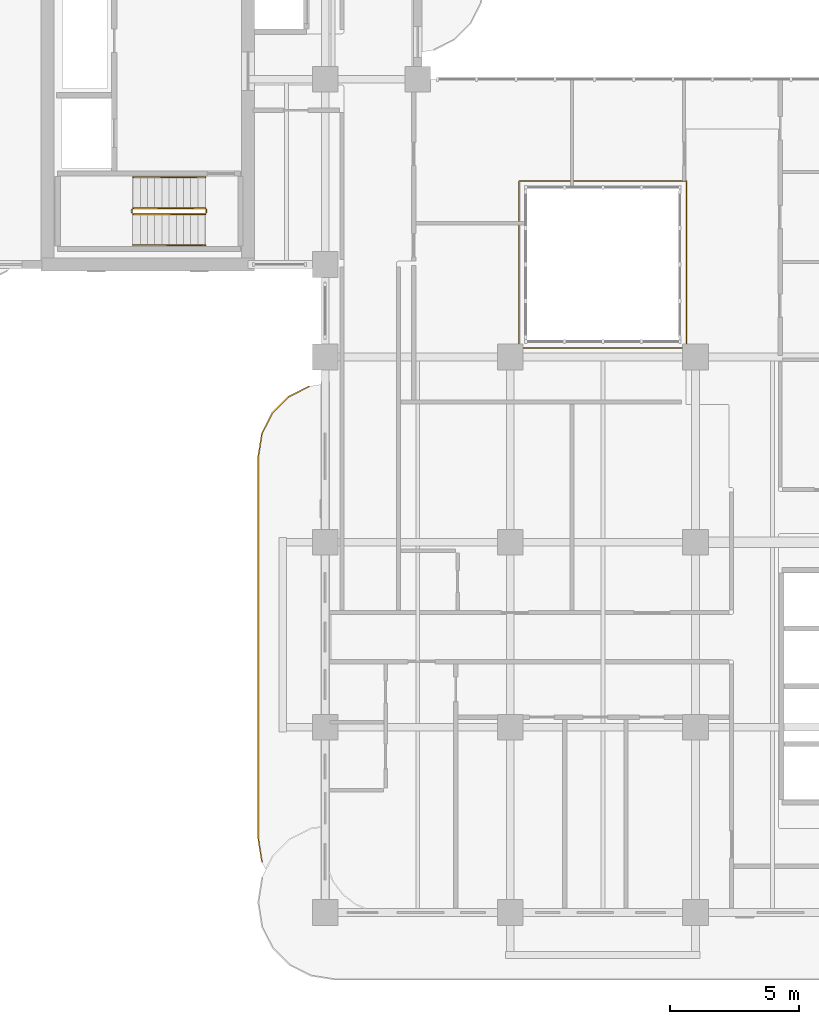
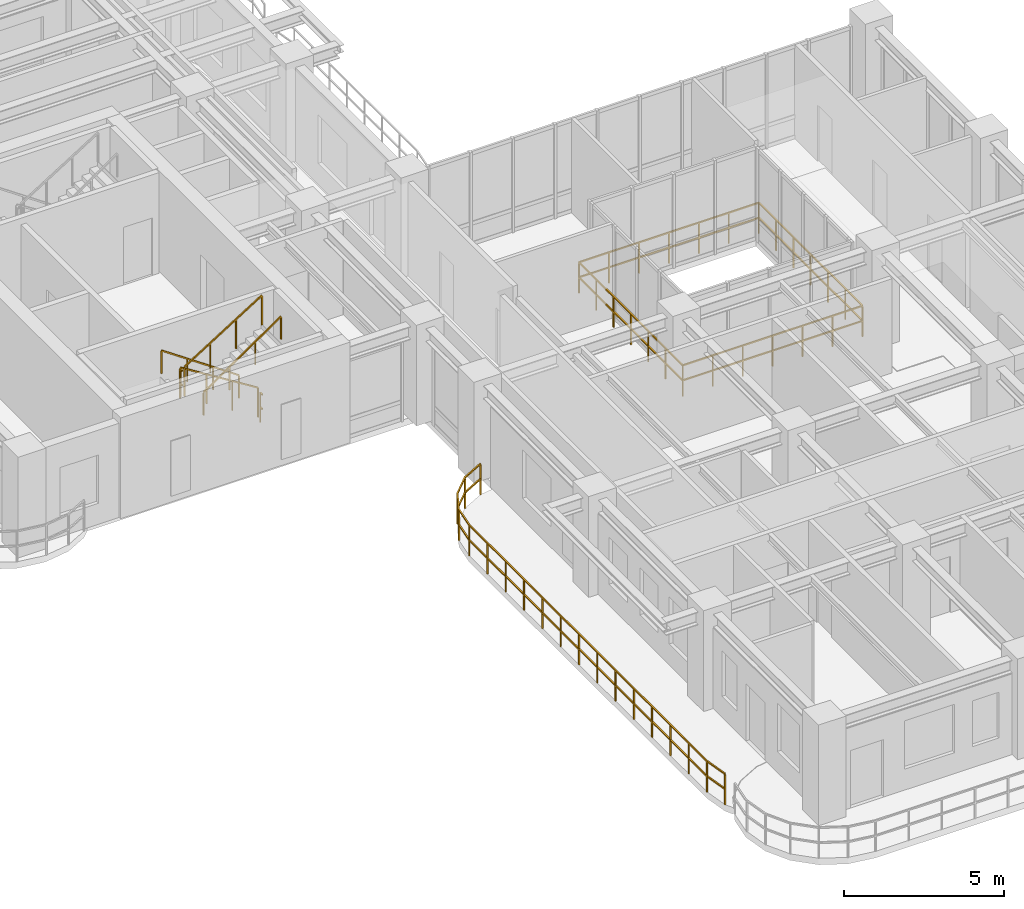
# One storey, part 17 of 20: 8 railings.
"""IFC4 building model written with IfcOpenShell, lengths in metres."""

from ifc_helpers import new_model, si_unit, derived_unit, direction, frame, origin, origin_2d, place, context, subcontext, project, spatial, rectangle, extrude, material, type_object, element, save


model = new_model("IFC4")

# Units and contexts
model_context = context("Model", 3, precision=1e-05, world=origin(), true_north=direction((0.0, 1.0)))
body_context = subcontext(model_context, "Body", "Model", "MODEL_VIEW")
ifc_project = project(units=[si_unit("LENGTHUNIT", "METRE"), si_unit("AREAUNIT", "SQUARE_METRE"), si_unit("VOLUMEUNIT", "CUBIC_METRE"), si_unit("PLANEANGLEUNIT", "RADIAN"), si_unit("MASSUNIT", "GRAM", prefix="KILO"), si_unit("THERMODYNAMICTEMPERATUREUNIT", "KELVIN"), si_unit("POWERUNIT", "WATT"), derived_unit("THERMALTRANSMITTANCEUNIT", [(si_unit("POWERUNIT", "WATT"), 1), (si_unit("AREAUNIT", "SQUARE_METRE"), -1), (si_unit("THERMODYNAMICTEMPERATUREUNIT", "KELVIN"), -1)])], contexts=[model_context])

# Site, building, storey
site_placement = place(None, origin())
site = spatial("IfcSite", under=ifc_project, at=site_placement, CompositionType="ELEMENT")
building_placement = place(site_placement, origin())
building = spatial("IfcBuilding", under=site, at=building_placement, Name="Zahravan Archway Hotel and Residences", CompositionType="ELEMENT")
storey_placement = place(building_placement, frame((0.0, 0.0, 177.25)))
storey = spatial("IfcBuildingStorey", under=building, at=storey_placement, Name="L44", CompositionType="ELEMENT", Elevation=177.25)

# Railings
ifc_material_1 = material(Name="Atrium Laminated Glass Guardrail", Category="glass")
railing_type_1 = type_object("IfcRailingType", Name="RL-ATR-1200", PredefinedType="BALUSTRADE", material=ifc_material_1)
railing_1_placement = place(storey_placement, frame((21.949951171875, 21.949951171875, 0.0)))
element("IfcRailing", 1, at=railing_1_placement, inside=storey, type_object=railing_type_1, Name="L44 Balustrade RL-ATR-L44", PredefinedType="BALUSTRADE", context=body_context, shape_type="SweptSolid", body=[
    extrude(rectangle(XDim=0.048095703125, YDim=0.048095703125, at=origin_2d()), frame((0.0, 0.0, 1.17578125), z_axis=(1.0, 0.0, 0.0), x_axis=(0.0, 1.0, 0.0)), (0.0, 0.0, 1.0), 6.5),
    extrude(rectangle(XDim=0.048095703125, YDim=0.048095703125, at=origin_2d()), frame((0.0, 0.0, 0.60009765625), z_axis=(1.0, 0.0, 0.0), x_axis=(0.0, 1.0, 0.0)), (0.0, 0.0, 1.0), 6.5),
    extrude(rectangle(XDim=0.048095703125, YDim=0.048095703125, at=origin_2d()), frame((6.5, 0.0, 1.17578125), z_axis=(0.0, 1.0, 0.0), x_axis=(-1.0, 0.0, 0.0)), (0.0, 0.0, 1.0), 6.5),
    extrude(rectangle(XDim=0.048095703125, YDim=0.048095703125, at=origin_2d()), frame((6.5, 0.0, 0.60009765625), z_axis=(0.0, 1.0, 0.0), x_axis=(-1.0, 0.0, 0.0)), (0.0, 0.0, 1.0), 6.5),
    extrude(rectangle(XDim=0.048095703125, YDim=0.048095703125, at=origin_2d()), frame((6.5, 6.5, 1.17578125), z_axis=(-1.0, 0.0, 0.0), x_axis=(0.0, -1.0, 0.0)), (0.0, 0.0, 1.0), 6.5),
    extrude(rectangle(XDim=0.048095703125, YDim=0.048095703125, at=origin_2d()), frame((6.5, 6.5, 0.60009765625), z_axis=(-1.0, 0.0, 0.0), x_axis=(0.0, -1.0, 0.0)), (0.0, 0.0, 1.0), 6.5),
    extrude(rectangle(XDim=0.048095703125, YDim=0.048095703125, at=origin_2d()), frame((0.0, 6.5, 1.17578125), z_axis=(0.0, -1.0, 0.0), x_axis=(1.0, 0.0, 0.0)), (0.0, 0.0, 1.0), 6.5),
    extrude(rectangle(XDim=0.048095703125, YDim=0.048095703125, at=origin_2d()), frame((0.0, 6.5, 0.60009765625), z_axis=(0.0, -1.0, 0.0), x_axis=(1.0, 0.0, 0.0)), (0.0, 0.0, 1.0), 6.5),
    extrude(rectangle(XDim=0.0419921875, YDim=0.0419921875, at=origin_2d()), origin(), (0.0, 0.0, 1.0), 1.15185546875),
    extrude(rectangle(XDim=0.0419921875, YDim=0.0419921875, at=origin_2d()), frame((1.083251953125, 0.0, 0.0)), (0.0, 0.0, 1.0), 1.15185546875),
    extrude(rectangle(XDim=0.0419921875, YDim=0.0419921875, at=origin_2d()), frame((2.166748046875, 0.0, 0.0)), (0.0, 0.0, 1.0), 1.15185546875),
    extrude(rectangle(XDim=0.0419921875, YDim=0.0419921875, at=origin_2d()), frame((3.25, 0.0, 0.0)), (0.0, 0.0, 1.0), 1.15185546875),
    extrude(rectangle(XDim=0.0419921875, YDim=0.0419921875, at=origin_2d()), frame((4.333251953125, 0.0, 0.0)), (0.0, 0.0, 1.0), 1.15185546875),
    extrude(rectangle(XDim=0.0419921875, YDim=0.0419921875, at=origin_2d()), frame((5.416748046875, 0.0, 0.0)), (0.0, 0.0, 1.0), 1.15185546875),
    extrude(rectangle(XDim=0.0419921875, YDim=0.0419921875, at=origin_2d()), frame((6.5, 0.0, 0.0)), (0.0, 0.0, 1.0), 1.15185546875),
    extrude(rectangle(XDim=0.0419921875, YDim=0.0419921875, at=origin_2d()), frame((6.5, 1.083251953125, 0.0)), (0.0, 0.0, 1.0), 1.15185546875),
    extrude(rectangle(XDim=0.0419921875, YDim=0.0419921875, at=origin_2d()), frame((6.5, 2.166748046875, 0.0)), (0.0, 0.0, 1.0), 1.15185546875),
    extrude(rectangle(XDim=0.0419921875, YDim=0.0419921875, at=origin_2d()), frame((6.5, 3.25, 0.0)), (0.0, 0.0, 1.0), 1.15185546875),
    extrude(rectangle(XDim=0.0419921875, YDim=0.0419921875, at=origin_2d()), frame((6.5, 4.333251953125, 0.0)), (0.0, 0.0, 1.0), 1.15185546875),
    extrude(rectangle(XDim=0.0419921875, YDim=0.0419921875, at=origin_2d()), frame((6.5, 5.416748046875, 0.0)), (0.0, 0.0, 1.0), 1.15185546875),
    extrude(rectangle(XDim=0.0419921875, YDim=0.0419921875, at=origin_2d()), frame((6.5, 6.5, 0.0)), (0.0, 0.0, 1.0), 1.15185546875),
    extrude(rectangle(XDim=0.0419921875, YDim=0.0419921875, at=origin_2d()), frame((5.416748046875, 6.5, 0.0)), (0.0, 0.0, 1.0), 1.15185546875),
    extrude(rectangle(XDim=0.0419921875, YDim=0.0419921875, at=origin_2d()), frame((4.333251953125, 6.5, 0.0)), (0.0, 0.0, 1.0), 1.15185546875),
    extrude(rectangle(XDim=0.0419921875, YDim=0.0419921875, at=origin_2d()), frame((3.25, 6.5, 0.0)), (0.0, 0.0, 1.0), 1.15185546875),
    extrude(rectangle(XDim=0.0419921875, YDim=0.0419921875, at=origin_2d()), frame((2.166748046875, 6.5, 0.0)), (0.0, 0.0, 1.0), 1.15185546875),
    extrude(rectangle(XDim=0.0419921875, YDim=0.0419921875, at=origin_2d()), frame((1.083251953125, 6.5, 0.0)), (0.0, 0.0, 1.0), 1.15185546875),
    extrude(rectangle(XDim=0.0419921875, YDim=0.0419921875, at=origin_2d()), frame((0.0, 6.5, 0.0)), (0.0, 0.0, 1.0), 1.15185546875),
    extrude(rectangle(XDim=0.0419921875, YDim=0.0419921875, at=origin_2d()), frame((0.0, 5.416748046875, 0.0)), (0.0, 0.0, 1.0), 1.15185546875),
    extrude(rectangle(XDim=0.0419921875, YDim=0.0419921875, at=origin_2d()), frame((0.0, 4.333251953125, 0.0)), (0.0, 0.0, 1.0), 1.15185546875),
    extrude(rectangle(XDim=0.0419921875, YDim=0.0419921875, at=origin_2d()), frame((0.0, 3.25, 0.0)), (0.0, 0.0, 1.0), 1.15185546875),
    extrude(rectangle(XDim=0.0419921875, YDim=0.0419921875, at=origin_2d()), frame((0.0, 2.166748046875, 0.0)), (0.0, 0.0, 1.0), 1.15185546875),
    extrude(rectangle(XDim=0.0419921875, YDim=0.0419921875, at=origin_2d()), frame((0.0, 1.083251953125, 0.0)), (0.0, 0.0, 1.0), 1.15185546875),
])
ifc_material_2 = material(Name="Bronze & Laminated Glass Balustrade", Category="glass")
railing_type_2 = type_object("IfcRailingType", Name="RL-BAL-1200", PredefinedType="BALUSTRADE", material=ifc_material_2)
railing_2_placement = place(storey_placement, frame((11.939453125, 1.96923828125, 0.0)))
element("IfcRailing", 2, at=railing_2_placement, inside=storey, type_object=railing_type_2, Name="L44 Balustrade RL-SLB-BAL-L44-WA-1", PredefinedType="BALUSTRADE", context=body_context, shape_type="SweptSolid", body=[
    extrude(rectangle(XDim=0.048095703125, YDim=0.048095703125, at=origin_2d()), frame((0.0, 0.0, 1.17578125), z_axis=(-0.156314005608, 0.987707411965, 0.0), x_axis=(-0.987707411965, -0.156314005608, 0.0)), (0.0, 0.0, 1.0), 0.891845703125),
    extrude(rectangle(XDim=0.048095703125, YDim=0.048095703125, at=origin_2d()), frame((0.0, 0.0, 0.60009765625), z_axis=(-0.156314005608, 0.987707411965, 0.0), x_axis=(-0.987707411965, -0.156314005608, 0.0)), (0.0, 0.0, 1.0), 0.891845703125),
    extrude(rectangle(XDim=0.048095703125, YDim=0.048095703125, at=origin_2d()), frame((-0.139404296875, 0.880859375, 1.17578125), z_axis=(0.0, 1.0, 0.0), x_axis=(-1.0, 0.0, 0.0)), (0.0, 0.0, 1.0), 14.89990234375),
    extrude(rectangle(XDim=0.048095703125, YDim=0.048095703125, at=origin_2d()), frame((-0.139404296875, 0.880859375, 0.60009765625), z_axis=(0.0, 1.0, 0.0), x_axis=(-1.0, 0.0, 0.0)), (0.0, 0.0, 1.0), 14.89990234375),
    extrude(rectangle(XDim=0.048095703125, YDim=0.048095703125, at=origin_2d()), frame((-0.139404296875, 15.78076171875, 1.17578125), z_axis=(0.156356282588, 0.987700720307, 0.0), x_axis=(-0.987700720307, 0.156356282588, 0.0)), (0.0, 0.0, 1.0), 0.8916015625),
    extrude(rectangle(XDim=0.048095703125, YDim=0.048095703125, at=origin_2d()), frame((-0.139404296875, 15.78076171875, 0.60009765625), z_axis=(0.156356282588, 0.987700720307, 0.0), x_axis=(-0.987700720307, 0.156356282588, 0.0)), (0.0, 0.0, 1.0), 0.8916015625),
    extrude(rectangle(XDim=0.048095703125, YDim=0.048095703125, at=origin_2d()), frame((0.0, 16.661376953125, 1.17578125), z_axis=(0.45388067135, 0.891062476022, 0.0), x_axis=(-0.891062476022, 0.45388067135, 0.0)), (0.0, 0.0, 1.0), 0.891845703125),
    extrude(rectangle(XDim=0.048095703125, YDim=0.048095703125, at=origin_2d()), frame((0.0, 16.661376953125, 0.60009765625), z_axis=(0.45388067135, 0.891062476022, 0.0), x_axis=(-0.891062476022, 0.45388067135, 0.0)), (0.0, 0.0, 1.0), 0.891845703125),
    extrude(rectangle(XDim=0.048095703125, YDim=0.048095703125, at=origin_2d()), frame((0.40478515625, 17.4560546875, 1.17578125), z_axis=(0.70724367147, 0.706969864397, 0.0), x_axis=(-0.706969864397, 0.70724367147, 0.0)), (0.0, 0.0, 1.0), 0.8916015625),
    extrude(rectangle(XDim=0.048095703125, YDim=0.048095703125, at=origin_2d()), frame((0.40478515625, 17.4560546875, 0.60009765625), z_axis=(0.70724367147, 0.706969864397, 0.0), x_axis=(-0.706969864397, 0.70724367147, 0.0)), (0.0, 0.0, 1.0), 0.8916015625),
    extrude(rectangle(XDim=0.048095703125, YDim=0.048095703125, at=origin_2d()), frame((1.035400390625, 18.08642578125, 1.17578125), z_axis=(0.891006060389, 0.453991409995, 0.0), x_axis=(-0.453991409995, 0.891006060389, 0.0)), (0.0, 0.0, 1.0), 0.8916015625),
    extrude(rectangle(XDim=0.048095703125, YDim=0.048095703125, at=origin_2d()), frame((1.035400390625, 18.08642578125, 0.60009765625), z_axis=(0.891006060389, 0.453991409995, 0.0), x_axis=(-0.453991409995, 0.891006060389, 0.0)), (0.0, 0.0, 1.0), 0.8916015625),
    extrude(rectangle(XDim=0.0419921875, YDim=0.0419921875, at=origin_2d()), origin(), (0.0, 0.0, 1.0), 1.15185546875),
    extrude(rectangle(XDim=0.0419921875, YDim=0.0419921875, at=origin_2d()), frame((-0.139404296875, 0.880859375, 0.0)), (0.0, 0.0, 1.0), 1.15185546875),
    extrude(rectangle(XDim=0.0419921875, YDim=0.0419921875, at=origin_2d()), frame((-0.139404296875, 2.027099609375, 0.0)), (0.0, 0.0, 1.0), 1.15185546875),
    extrude(rectangle(XDim=0.0419921875, YDim=0.0419921875, at=origin_2d()), frame((-0.139404296875, 3.173095703125, 0.0)), (0.0, 0.0, 1.0), 1.15185546875),
    extrude(rectangle(XDim=0.0419921875, YDim=0.0419921875, at=origin_2d()), frame((-0.139404296875, 4.3193359375, 0.0)), (0.0, 0.0, 1.0), 1.15185546875),
    extrude(rectangle(XDim=0.0419921875, YDim=0.0419921875, at=origin_2d()), frame((-0.139404296875, 5.46533203125, 0.0)), (0.0, 0.0, 1.0), 1.15185546875),
    extrude(rectangle(XDim=0.0419921875, YDim=0.0419921875, at=origin_2d()), frame((-0.139404296875, 6.611572265625, 0.0)), (0.0, 0.0, 1.0), 1.15185546875),
    extrude(rectangle(XDim=0.0419921875, YDim=0.0419921875, at=origin_2d()), frame((-0.139404296875, 7.7578125, 0.0)), (0.0, 0.0, 1.0), 1.15185546875),
    extrude(rectangle(XDim=0.0419921875, YDim=0.0419921875, at=origin_2d()), frame((-0.139404296875, 8.90380859375, 0.0)), (0.0, 0.0, 1.0), 1.15185546875),
    extrude(rectangle(XDim=0.0419921875, YDim=0.0419921875, at=origin_2d()), frame((-0.139404296875, 10.050048828125, 0.0)), (0.0, 0.0, 1.0), 1.15185546875),
    extrude(rectangle(XDim=0.0419921875, YDim=0.0419921875, at=origin_2d()), frame((-0.139404296875, 11.1962890625, 0.0)), (0.0, 0.0, 1.0), 1.15185546875),
    extrude(rectangle(XDim=0.0419921875, YDim=0.0419921875, at=origin_2d()), frame((-0.139404296875, 12.34228515625, 0.0)), (0.0, 0.0, 1.0), 1.15185546875),
    extrude(rectangle(XDim=0.0419921875, YDim=0.0419921875, at=origin_2d()), frame((-0.139404296875, 13.488525390625, 0.0)), (0.0, 0.0, 1.0), 1.15185546875),
    extrude(rectangle(XDim=0.0419921875, YDim=0.0419921875, at=origin_2d()), frame((-0.139404296875, 14.634521484375, 0.0)), (0.0, 0.0, 1.0), 1.15185546875),
    extrude(rectangle(XDim=0.0419921875, YDim=0.0419921875, at=origin_2d()), frame((-0.139404296875, 15.78076171875, 0.0)), (0.0, 0.0, 1.0), 1.15185546875),
    extrude(rectangle(XDim=0.0419921875, YDim=0.0419921875, at=origin_2d()), frame((0.0, 16.661376953125, 0.0)), (0.0, 0.0, 1.0), 1.15185546875),
    extrude(rectangle(XDim=0.0419921875, YDim=0.0419921875, at=origin_2d()), frame((0.40478515625, 17.4560546875, 0.0)), (0.0, 0.0, 1.0), 1.15185546875),
    extrude(rectangle(XDim=0.0419921875, YDim=0.0419921875, at=origin_2d()), frame((1.035400390625, 18.08642578125, 0.0)), (0.0, 0.0, 1.0), 1.15185546875),
    extrude(rectangle(XDim=0.0419921875, YDim=0.0419921875, at=origin_2d()), frame((1.829833984375, 18.4912109375, 0.0)), (0.0, 0.0, 1.0), 1.15185546875),
])
ifc_material_3 = material(Name="Painted Tubular Steel", Category="steel")
railing_type_3 = type_object("IfcRailingType", Name="RL-STG-1150", PredefinedType="GUARDRAIL", material=ifc_material_3)
railing_3_placement = place(storey_placement, frame((9.72998046875, 27.389892578125, 0.175048828125)))
element("IfcRailing", 3, at=railing_3_placement, inside=storey, type_object=railing_type_3, Name="L44 ST-B1 stair guard 1", PredefinedType="GUARDRAIL", context=body_context, shape_type="SweptSolid", body=[
    extrude(rectangle(XDim=0.048095703125, YDim=0.048095703125, at=origin_2d()), frame((0.0, 0.0, 1.1259765625), z_axis=(-0.848002457836, 0.0, 0.529992293815), x_axis=(0.0, -1.0, 0.0)), (0.0, 0.0, 1.0), 3.302001953125),
    extrude(rectangle(XDim=0.0419921875, YDim=0.0419921875, at=origin_2d()), origin(), (0.0, 0.0, 1.0), 1.101806640625),
    extrude(rectangle(XDim=0.0419921875, YDim=0.0419921875, at=origin_2d()), frame((-0.933349609375, 0.0, 0.583251953125)), (0.0, 0.0, 1.0), 1.101806640625),
    extrude(rectangle(XDim=0.0419921875, YDim=0.0419921875, at=origin_2d()), frame((-1.86669921875, 0.0, 1.166748046875)), (0.0, 0.0, 1.0), 1.101806640625),
    extrude(rectangle(XDim=0.0419921875, YDim=0.0419921875, at=origin_2d()), frame((-2.800048828125, 0.0, 1.75)), (0.0, 0.0, 1.0), 1.101806640625),
])
railing_4_placement = place(storey_placement, frame((6.8798828125, 27.340087890625, 1.925048828125)))
element("IfcRailing", 4, at=railing_4_placement, inside=storey, type_object=railing_type_3, Name="L44 ST-B1 stair guard 2", PredefinedType="GUARDRAIL", context=body_context, shape_type="SweptSolid", body=[
    extrude(rectangle(XDim=0.048095703125, YDim=0.048095703125, at=origin_2d()), frame((0.0, 0.0, 1.1259765625), z_axis=(0.0, -1.0, 0.0), x_axis=(1.0, 0.0, 0.0)), (0.0, 0.0, 1.0), 0.14013671875),
    extrude(rectangle(XDim=0.048095703125, YDim=0.048095703125, at=origin_2d()), frame((0.0, 0.0, 0.574951171875), z_axis=(0.0, -1.0, 0.0), x_axis=(1.0, 0.0, 0.0)), (0.0, 0.0, 1.0), 0.14013671875),
    extrude(rectangle(XDim=0.0419921875, YDim=0.0419921875, at=origin_2d()), origin(), (0.0, 0.0, 1.0), 1.101806640625),
])
railing_5_placement = place(storey_placement, frame((6.929931640625, 27.14990234375, 2.10009765625)))
element("IfcRailing", 5, at=railing_5_placement, inside=storey, type_object=railing_type_3, Name="L44 ST-B1 stair guard 3", PredefinedType="GUARDRAIL", context=body_context, shape_type="SweptSolid", body=[
    extrude(rectangle(XDim=0.048095703125, YDim=0.048095703125, at=origin_2d()), frame((0.0, 0.0, 1.1259765625), z_axis=(0.848002457836, 0.0, 0.529992293815), x_axis=(0.0, 1.0, 0.0)), (0.0, 0.0, 1.0), 3.302001953125),
    extrude(rectangle(XDim=0.0419921875, YDim=0.0419921875, at=origin_2d()), origin(), (0.0, 0.0, 1.0), 1.101806640625),
    extrude(rectangle(XDim=0.0419921875, YDim=0.0419921875, at=origin_2d()), frame((0.933349609375, 0.0, 0.583251953125)), (0.0, 0.0, 1.0), 1.101806640625),
    extrude(rectangle(XDim=0.0419921875, YDim=0.0419921875, at=origin_2d()), frame((1.86669921875, 0.0, 1.166748046875)), (0.0, 0.0, 1.0), 1.101806640625),
    extrude(rectangle(XDim=0.0419921875, YDim=0.0419921875, at=origin_2d()), frame((2.800048828125, 0.0, 1.75)), (0.0, 0.0, 1.0), 1.101806640625),
])
railing_6_placement = place(storey_placement, frame((9.780029296875, 27.340087890625, 0.0)))
element("IfcRailing", 6, at=railing_6_placement, inside=storey, type_object=railing_type_3, Name="L44 ST-B1 stair guard 4", PredefinedType="GUARDRAIL", context=body_context, shape_type="SweptSolid", body=[
    extrude(rectangle(XDim=0.048095703125, YDim=0.048095703125, at=origin_2d()), frame((0.0, 0.0, 1.1259765625), z_axis=(0.0, -1.0, 0.0), x_axis=(1.0, 0.0, 0.0)), (0.0, 0.0, 1.0), 0.14013671875),
    extrude(rectangle(XDim=0.048095703125, YDim=0.048095703125, at=origin_2d()), frame((0.0, 0.0, 0.574951171875), z_axis=(0.0, -1.0, 0.0), x_axis=(1.0, 0.0, 0.0)), (0.0, 0.0, 1.0), 0.14013671875),
    extrude(rectangle(XDim=0.0419921875, YDim=0.0419921875, at=origin_2d()), origin(), (0.0, 0.0, 1.0), 1.101806640625),
])
ifc_material_4 = material(Name="Brushed Stainless Steel", Category="steel")
railing_type_4 = type_object("IfcRailingType", Name="RL-STH-900", PredefinedType="HANDRAIL", material=ifc_material_4)
railing_7_placement = place(storey_placement, frame((9.72998046875, 28.590087890625, 0.175048828125)))
element("IfcRailing", 7, at=railing_7_placement, inside=storey, type_object=railing_type_4, Name="L44 ST-B1 stair handrail 1", PredefinedType="HANDRAIL", context=body_context, shape_type="SweptSolid", body=[
    extrude(rectangle(XDim=0.048095703125, YDim=0.048095703125, at=origin_2d()), frame((0.0, 0.0, 0.8759765625), z_axis=(-0.824039827795, 0.0, 0.566531872191), x_axis=(0.0, -1.0, 0.0)), (0.0, 0.0, 1.0), 3.39794921875),
    extrude(rectangle(XDim=0.0419921875, YDim=0.0419921875, at=origin_2d()), origin(), (0.0, 0.0, 1.0), 0.851806640625),
    extrude(rectangle(XDim=0.0419921875, YDim=0.0419921875, at=origin_2d()), frame((-0.933349609375, 0.0, 0.6416015625)), (0.0, 0.0, 1.0), 0.851806640625),
    extrude(rectangle(XDim=0.0419921875, YDim=0.0419921875, at=origin_2d()), frame((-1.86669921875, 0.0, 1.283447265625)), (0.0, 0.0, 1.0), 0.851806640625),
    extrude(rectangle(XDim=0.0419921875, YDim=0.0419921875, at=origin_2d()), frame((-2.800048828125, 0.0, 1.925048828125)), (0.0, 0.0, 1.0), 0.851806640625),
])
railing_8_placement = place(storey_placement, frame((6.929931640625, 25.949951171875, 2.10009765625)))
element("IfcRailing", 8, at=railing_8_placement, inside=storey, type_object=railing_type_4, Name="L44 ST-B1 stair handrail 2", PredefinedType="HANDRAIL", context=body_context, shape_type="SweptSolid", body=[
    extrude(rectangle(XDim=0.048095703125, YDim=0.048095703125, at=origin_2d()), frame((0.0, 0.0, 0.8759765625), z_axis=(0.824073370198, 0.0, 0.566483080534), x_axis=(0.0, 1.0, 0.0)), (0.0, 0.0, 1.0), 3.397705078125),
    extrude(rectangle(XDim=0.0419921875, YDim=0.0419921875, at=origin_2d()), origin(), (0.0, 0.0, 1.0), 0.851806640625),
    extrude(rectangle(XDim=0.0419921875, YDim=0.0419921875, at=origin_2d()), frame((0.933349609375, 0.0, 0.6416015625)), (0.0, 0.0, 1.0), 0.851806640625),
    extrude(rectangle(XDim=0.0419921875, YDim=0.0419921875, at=origin_2d()), frame((1.86669921875, 0.0, 1.283203125)), (0.0, 0.0, 1.0), 0.851806640625),
    extrude(rectangle(XDim=0.0419921875, YDim=0.0419921875, at=origin_2d()), frame((2.800048828125, 0.0, 1.9248046875)), (0.0, 0.0, 1.0), 0.851806640625),
])

save(model, "model.ifc")
